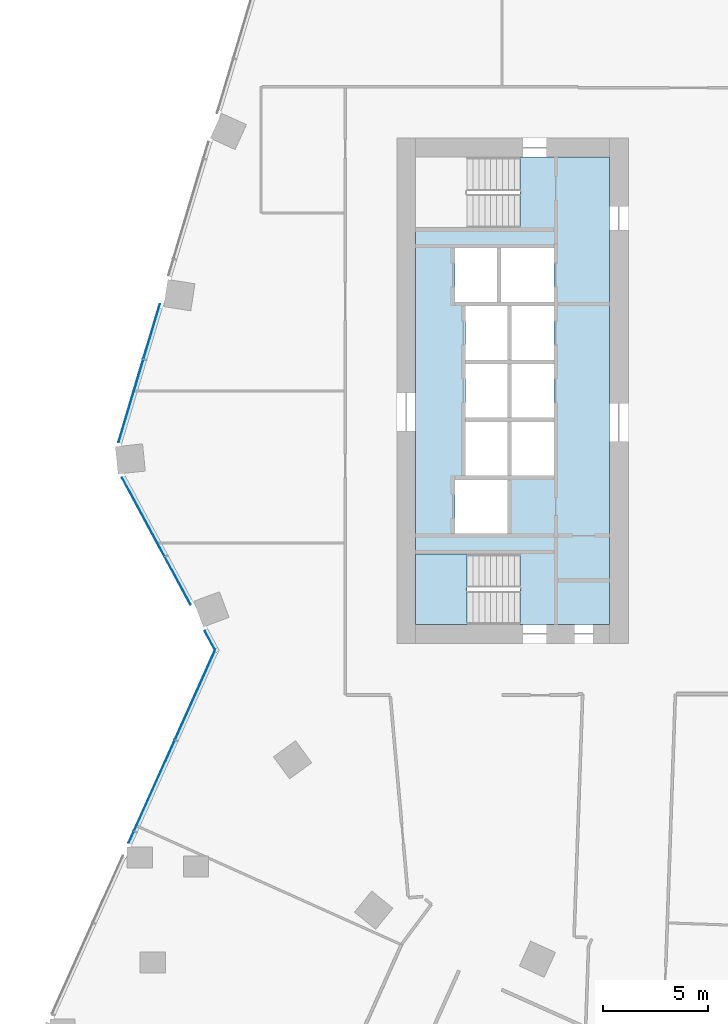
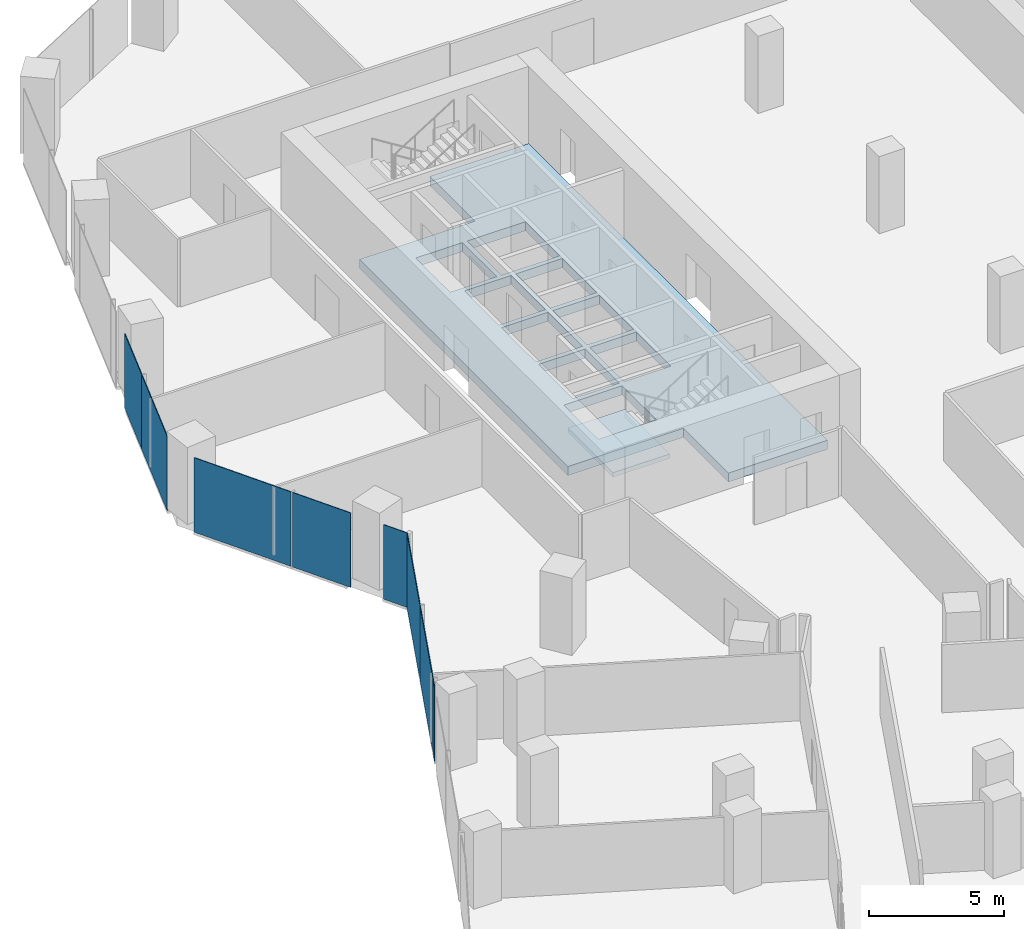
# One storey, part 19 of 34: 8 plates, 2 slabs, 4 elements without a shape of their own.
"""IFC4 building model written with IfcOpenShell, lengths in metres."""

from ifc_helpers import new_model, si_unit, direction, frame, origin, origin_2d, place, context, subcontext, project, spatial, polyline, rectangle, outline, extrude, material, layer, layer_set, type_object, element, aggregate, save


model = new_model("IFC4")

# Units and contexts
model_context = context("Model", 3, precision=1e-05, world=origin(), true_north=direction((0.0, 1.0)))
body_context = subcontext(model_context, "Body", "Model", "MODEL_VIEW")
ifc_project = project(units=[si_unit("LENGTHUNIT", "METRE"), si_unit("AREAUNIT", "SQUARE_METRE"), si_unit("VOLUMEUNIT", "CUBIC_METRE"), si_unit("PLANEANGLEUNIT", "RADIAN"), si_unit("MASSUNIT", "GRAM", prefix="KILO")], contexts=[model_context])

# Site, building, storey
site_placement = place(None, origin())
site = spatial("IfcSite", under=ifc_project, at=site_placement, CompositionType="ELEMENT")
building_placement = place(site_placement, origin())
building = spatial("IfcBuilding", under=site, at=building_placement, Name="Orlundy Tower", CompositionType="ELEMENT")
storey_placement = place(building_placement, frame((0.0, 0.0, 127.199951171875)))
storey = spatial("IfcBuildingStorey", under=building, at=storey_placement, Name="L32", CompositionType="ELEMENT", Elevation=127.199951171875)

# Curtain wall, plates
ifc_material_1 = material(Name="Aluminium bronze anodised", Category="aluminium")
curtain_wall_type = type_object("IfcCurtainWallType", Name="CW1 wall", PredefinedType="NOTDEFINED", material=ifc_material_1)
curtain_wall_1_placement = place(storey_placement, origin())
curtain_wall_1 = element("IfcCurtainWall", 1, at=curtain_wall_1_placement, inside=storey, type_object=curtain_wall_type, Name="CW1 run 00", PredefinedType="NOTDEFINED")
ifc_material_2 = material(Name="Tinted glass", Category="glass")
ifc_layer_1 = layer(ifc_material_2, 0.031982421875)
ifc_layer_set_1 = layer_set([ifc_layer_1], Name="CW1 glass panel 32")
plate_type = type_object("IfcPlateType", Name="CW1 glass panel 32", PredefinedType="CURTAIN_PANEL", material=ifc_layer_set_1)
plate_1_placement = place(storey_placement, frame((-31.61572265625, -21.204833984375, -0.27978515625), z_axis=(0.0, 0.0, 1.0), x_axis=(0.409404071174, 0.912353169834, 0.0)))
plate_1 = element("IfcPlate", 2, at=plate_1_placement, type_object=plate_type, Name="CW1 panel", PredefinedType="CURTAIN_PANEL", context=body_context, shape_type="SweptSolid", body=[
    extrude(rectangle(XDim=0.572509765625, YDim=0.031982421875, at=origin_2d()), origin(), (0.0, 0.0, 1.0), 3.3798828125),
])
plate_2_placement = place(storey_placement, frame((-30.514892578125, -18.751708984375, -0.27978515625), z_axis=(0.0, 0.0, 1.0), x_axis=(0.409404071174, 0.912353169834, 0.0)))
plate_2 = element("IfcPlate", 3, at=plate_2_placement, type_object=plate_type, Name="CW1 panel", PredefinedType="CURTAIN_PANEL", context=body_context, shape_type="SweptSolid", body=[
    extrude(rectangle(XDim=4.705322265625, YDim=0.031982421875, at=origin_2d()), origin(), (0.0, 0.0, 1.0), 3.3798828125),
])
plate_3_placement = place(storey_placement, frame((-28.57958984375, -14.438720703125, -0.27978515625), z_axis=(0.0, 0.0, 1.0), x_axis=(0.409404071174, 0.912353169834, 0.0)))
plate_3 = element("IfcPlate", 4, at=plate_3_placement, type_object=plate_type, Name="CW1 panel", PredefinedType="CURTAIN_PANEL", context=body_context, shape_type="SweptSolid", body=[
    extrude(rectangle(XDim=4.6494140625, YDim=0.031982421875, at=origin_2d()), origin(), (0.0, 0.0, 1.0), 3.3798828125),
])
aggregate(curtain_wall_1, [plate_1, plate_2, plate_3])

curtain_wall_2_placement = place(storey_placement, origin())
curtain_wall_2 = element("IfcCurtainWall", 5, at=curtain_wall_2_placement, inside=storey, type_object=curtain_wall_type, Name="CW1 run 01", PredefinedType="NOTDEFINED")
plate_4_placement = place(storey_placement, frame((-27.873779296875, -11.861328125, -0.27978515625), z_axis=(0.0, 0.0, 1.0), x_axis=(-0.4746239814, 0.880188659482, 0.0)))
plate_4 = element("IfcPlate", 6, at=plate_4_placement, type_object=plate_type, Name="CW1 panel", PredefinedType="CURTAIN_PANEL", context=body_context, shape_type="SweptSolid", body=[
    extrude(rectangle(XDim=1.03662109375, YDim=0.031982421875, at=origin_2d()), origin(), (0.0, 0.0, 1.0), 3.3798828125),
])
plate_5_placement = place(storey_placement, frame((-29.40283203125, -9.02587890625, -0.27978515625), z_axis=(0.0, 0.0, 1.0), x_axis=(-0.4746239814, 0.880188659482, 0.0)))
plate_5 = element("IfcPlate", 7, at=plate_5_placement, type_object=plate_type, Name="CW1 panel", PredefinedType="CURTAIN_PANEL", context=body_context, shape_type="SweptSolid", body=[
    extrude(rectangle(XDim=2.54638671875, YDim=0.031982421875, at=origin_2d()), origin(), (0.0, 0.0, 1.0), 3.3798828125),
])
plate_6_placement = place(storey_placement, frame((-31.037353515625, -5.99462890625, -0.27978515625), z_axis=(0.0, 0.0, 1.0), x_axis=(-0.4746239814, 0.880188659482, 0.0)))
plate_6 = element("IfcPlate", 8, at=plate_6_placement, type_object=plate_type, Name="CW1 panel", PredefinedType="CURTAIN_PANEL", context=body_context, shape_type="SweptSolid", body=[
    extrude(rectangle(XDim=4.24169921875, YDim=0.031982421875, at=origin_2d()), origin(), (0.0, 0.0, 1.0), 3.3798828125),
])
aggregate(curtain_wall_2, [plate_4, plate_5, plate_6])

curtain_wall_3_placement = place(storey_placement, origin())
curtain_wall_3 = element("IfcCurtainWall", 9, at=curtain_wall_3_placement, inside=storey, type_object=curtain_wall_type, Name="CW1 run 02", PredefinedType="NOTDEFINED")
plate_7_placement = place(storey_placement, frame((-31.629638671875, -0.47607421875, -0.27978515625), z_axis=(0.0, 0.0, 1.0), x_axis=(0.286816257107, 0.957985612971, 0.0)))
plate_7 = element("IfcPlate", 10, at=plate_7_placement, type_object=plate_type, Name="CW1 panel", PredefinedType="CURTAIN_PANEL", context=body_context, shape_type="SweptSolid", body=[
    extrude(rectangle(XDim=4.09326171875, YDim=0.031982421875, at=origin_2d()), origin(), (0.0, 0.0, 1.0), 3.3798828125),
])
plate_8_placement = place(storey_placement, frame((-30.64208984375, 2.822998046875, -0.27978515625), z_axis=(0.0, 0.0, 1.0), x_axis=(0.286816257107, 0.957985612971, 0.0)))
plate_8 = element("IfcPlate", 11, at=plate_8_placement, type_object=plate_type, Name="CW1 panel", PredefinedType="CURTAIN_PANEL", context=body_context, shape_type="SweptSolid", body=[
    extrude(rectangle(XDim=2.69384765625, YDim=0.031982421875, at=origin_2d()), origin(), (0.0, 0.0, 1.0), 3.3798828125),
])
aggregate(curtain_wall_3, [plate_7, plate_8])

# Slab
ifc_material_3 = material(Name="Concrete C50/60", Category="concrete")
ifc_layer_2 = layer(ifc_material_3, 0.409912109375)
ifc_layer_set_2 = layer_set([ifc_layer_2], Name="Core Floor Slab 410")
slab_type_1 = type_object("IfcSlabType", Name="Core Floor Slab 410", PredefinedType="FLOOR", material=ifc_layer_set_2)
slab_1_placement = place(storey_placement, frame((0.0, 0.0, -0.409912109375)))
element("IfcSlab", 12, at=slab_1_placement, inside=storey, type_object=slab_type_1, Name="Core floor W25", PredefinedType="FLOOR", context=body_context, shape_type="SweptSolid", body=[
    extrude(outline(polyline([(-13.14501953125, 7.75), (-13.14501953125, 11.10009765625), (-8.89990234375, 11.10009765625), (-8.89990234375, -11.10009765625), (-13.14501953125, -11.10009765625), (-13.14501953125, -7.75), (-18.10009765625, -7.75), (-18.10009765625, 7.75), (-13.14501953125, 7.75)]), holes=[polyline([(-16.239990234375, -6.77490234375), (-13.739990234375, -6.77490234375), (-13.739990234375, -4.22509765625), (-16.239990234375, -4.22509765625), (-16.239990234375, -6.77490234375)]), polyline([(-13.5400390625, -1.47509765625), (-13.5400390625, -4.02490234375), (-11.5400390625, -4.02490234375), (-11.5400390625, -1.47509765625), (-13.5400390625, -1.47509765625)]), polyline([(-13.739990234375, -1.47509765625), (-15.739990234375, -1.47509765625), (-15.739990234375, -4.02490234375), (-13.739990234375, -4.02490234375), (-13.739990234375, -1.47509765625)]), polyline([(-11.5400390625, -1.27490234375), (-11.5400390625, 1.27490234375), (-13.5400390625, 1.27490234375), (-13.5400390625, -1.27490234375), (-11.5400390625, -1.27490234375)]), polyline([(-15.739990234375, -1.27490234375), (-13.739990234375, -1.27490234375), (-13.739990234375, 1.27490234375), (-15.739990234375, 1.27490234375), (-15.739990234375, -1.27490234375)]), polyline([(-13.5400390625, 4.02490234375), (-13.5400390625, 1.47509765625), (-11.5400390625, 1.47509765625), (-11.5400390625, 4.02490234375), (-13.5400390625, 4.02490234375)]), polyline([(-13.739990234375, 4.02490234375), (-15.739990234375, 4.02490234375), (-15.739990234375, 1.47509765625), (-13.739990234375, 1.47509765625), (-13.739990234375, 4.02490234375)]), polyline([(-11.5400390625, 4.22509765625), (-11.5400390625, 6.77490234375), (-14.0400390625, 6.77490234375), (-14.0400390625, 4.22509765625), (-11.5400390625, 4.22509765625)]), polyline([(-16.239990234375, 4.22509765625), (-14.239990234375, 4.22509765625), (-14.239990234375, 6.77490234375), (-16.239990234375, 6.77490234375), (-16.239990234375, 4.22509765625)])]), origin(), (0.0, 0.0, 1.0), 0.409912109375),
])

# Stair, slab
ifc_material_4 = material(Name="Concrete C50/60", Category="concrete")
stair_type = type_object("IfcStairType", Name="Exit Stair 20 risers", PredefinedType="HALF_TURN_STAIR", material=ifc_material_4)
stair_placement = place(storey_placement, origin())
stair = element("IfcStair", 13, at=stair_placement, inside=storey, type_object=stair_type, Name="L32 Exit Stair ST-W2", PredefinedType="HALF_TURN_STAIR")
ifc_material_5 = material(Name="Concrete C50/60", Category="concrete")
ifc_layer_3 = layer(ifc_material_5, 0.199951171875)
ifc_layer_set_3 = layer_set([ifc_layer_3], Name="Exit Stair Landing")
slab_type_2 = type_object("IfcSlabType", Name="Exit Stair Landing", PredefinedType="LANDING", material=ifc_layer_set_3)
slab_2_placement = place(storey_placement, frame((0.0, 0.0, 1.550048828125)))
slab_2 = element("IfcSlab", 14, at=slab_2_placement, type_object=slab_type_2, Name="ST-W2 landing 1", PredefinedType="LANDING", context=body_context, shape_type="SweptSolid", body=[
    extrude(outline(polyline([(-15.659912109375, -7.75), (-18.10009765625, -7.75), (-18.10009765625, -11.10009765625), (-15.659912109375, -11.10009765625), (-15.659912109375, -7.75)])), origin(), (0.0, 0.0, 1.0), 0.199951171875),
])
aggregate(stair, [slab_2])

save(model, "model.ifc")
